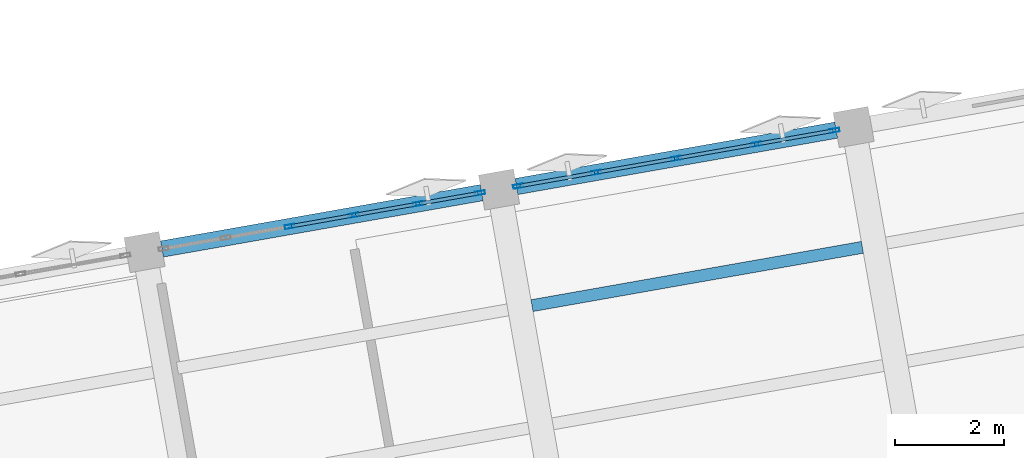
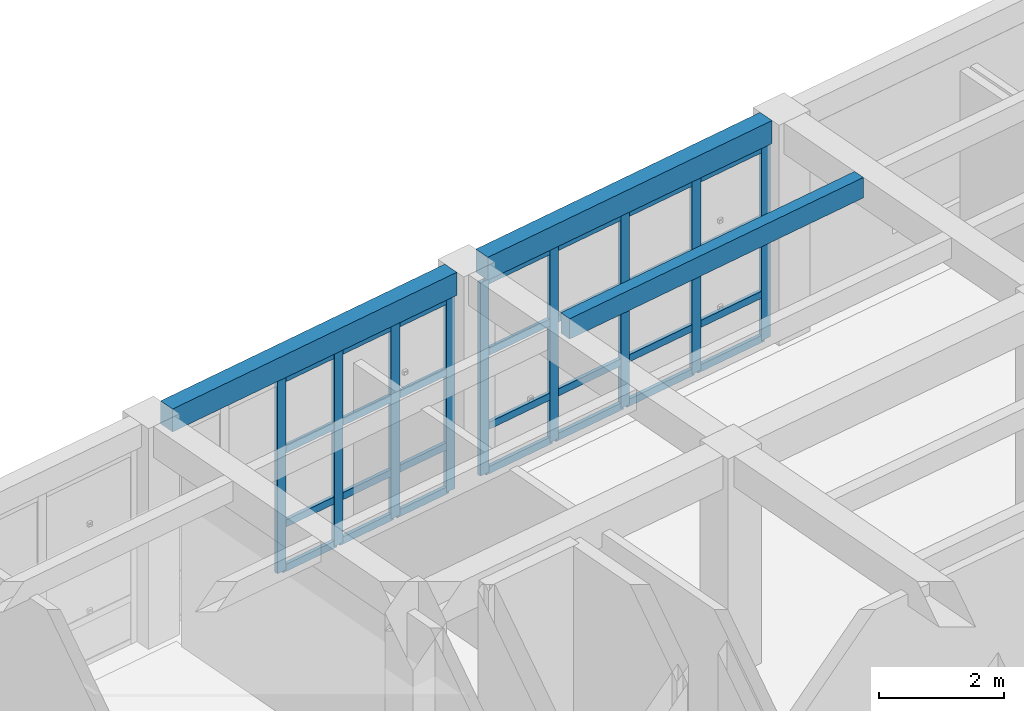
# One storey, part 10 of 39: 37 members, 3 beams, 2 elements without a shape of their own.
"""IFC4 building model written with IfcOpenShell, lengths in metres."""

from ifc_helpers import new_model, si_unit, direction, frame, origin, origin_2d, place, context, subcontext, project, spatial, rectangle, hollow_rectangle, extrude, material, layer, layer_set, material_profile, profile_set, type_object, element, aggregate, save


model = new_model("IFC4")

# Units and contexts
model_context = context("Model", 3, precision=1e-05, world=origin(), true_north=direction((0.0, 1.0)))
body_context = subcontext(model_context, "Body", "Model", "MODEL_VIEW")
ifc_project = project(units=[si_unit("LENGTHUNIT", "METRE"), si_unit("AREAUNIT", "SQUARE_METRE"), si_unit("VOLUMEUNIT", "CUBIC_METRE"), si_unit("PLANEANGLEUNIT", "RADIAN"), si_unit("MASSUNIT", "GRAM", prefix="KILO")], contexts=[model_context])

# Site, building, storey
site_placement = place(None, origin())
site = spatial("IfcSite", under=ifc_project, at=site_placement, CompositionType="ELEMENT")
building_placement = place(site_placement, origin())
building = spatial("IfcBuilding", under=site, at=building_placement, Name="Kharisveld Research Institute", CompositionType="ELEMENT")
storey_placement = place(building_placement, frame((0.0, 0.0, 18.60009765625)))
storey = spatial("IfcBuildingStorey", under=building, at=storey_placement, Name="L04", CompositionType="ELEMENT", Elevation=18.60009765625)

# Curtain wall, members
ifc_material_1 = material(Name="Thermally Broken Aluminium Curtain Wall", Category="aluminium")
ifc_layer_1 = layer(ifc_material_1, 0.159912109375)
ifc_layer_set_1 = layer_set([ifc_layer_1], Name="CW_SYS_01")
curtain_wall_type_1 = type_object("IfcCurtainWallType", Name="CW_SYS_01", PredefinedType="NOTDEFINED", material=ifc_layer_set_1)
curtain_wall_1_placement = place(storey_placement, origin())
curtain_wall_1 = element("IfcCurtainWall", 1, at=curtain_wall_1_placement, inside=storey, type_object=curtain_wall_type_1, Name="CW:V1:L04:N2", PredefinedType="NOTDEFINED")
ifc_material_2 = material(Name="Anodised Aluminium AW-6063-T6", Category="aluminium")
ifc_material_profile_1 = material_profile(ifc_material_2, hollow_rectangle(XDim=0.070068359375, YDim=0.179931640625, WallThickness=0.00439453125, at=origin_2d()))
ifc_profile_set_1 = profile_set([ifc_material_profile_1], Name="Anodised Aluminium AW-6063-T6")
member_type_1 = type_object("IfcMemberType", Name="CW_MUL_180", PredefinedType="MULLION", material=ifc_profile_set_1)
member_1_placement = place(storey_placement, frame((17.424072265625, 57.27099609375, 0.0), z_axis=(0.0, 0.0, 1.0), x_axis=(-0.173648266375, 0.984807737371, 0.0)))
member_1 = element("IfcMember", 2, at=member_1_placement, type_object=member_type_1, Name="CW-01 mullion 3", PredefinedType="MULLION", context=body_context, shape_type="SweptSolid", body=[
    extrude(hollow_rectangle(XDim=0.070068359375, YDim=0.179931640625, WallThickness=0.00439453125, at=origin_2d()), origin(), (0.0, 0.0, 1.0), 3.77978515625),
])
member_2_placement = place(storey_placement, frame((18.59814453125, 57.477783203125, 0.0), z_axis=(0.0, 0.0, 1.0), x_axis=(-0.173648266375, 0.984807737371, 0.0)))
member_2 = element("IfcMember", 3, at=member_2_placement, type_object=member_type_1, Name="CW-01 mullion 4", PredefinedType="MULLION", context=body_context, shape_type="SweptSolid", body=[
    extrude(hollow_rectangle(XDim=0.070068359375, YDim=0.179931640625, WallThickness=0.00439453125, at=origin_2d()), origin(), (0.0, 0.0, 1.0), 3.77978515625),
])
member_3_placement = place(storey_placement, frame((19.77197265625, 57.684814453125, 0.0), z_axis=(0.0, 0.0, 1.0), x_axis=(-0.173648266375, 0.984807737371, 0.0)))
member_3 = element("IfcMember", 4, at=member_3_placement, type_object=member_type_1, Name="CW-01 mullion 5", PredefinedType="MULLION", context=body_context, shape_type="SweptSolid", body=[
    extrude(hollow_rectangle(XDim=0.070068359375, YDim=0.179931640625, WallThickness=0.00439453125, at=origin_2d()), origin(), (0.0, 0.0, 1.0), 3.77978515625),
])
member_4_placement = place(storey_placement, frame((20.911376953125, 57.8857421875, 0.0), z_axis=(0.0, 0.0, 1.0), x_axis=(-0.173648266375, 0.984807737371, 0.0)))
member_4 = element("IfcMember", 5, at=member_4_placement, type_object=member_type_1, Name="CW-01 mullion 6", PredefinedType="MULLION", context=body_context, shape_type="SweptSolid", body=[
    extrude(hollow_rectangle(XDim=0.070068359375, YDim=0.179931640625, WallThickness=0.00439453125, at=origin_2d()), origin(), (0.0, 0.0, 1.0), 3.77978515625),
])

ifc_material_3 = material(Name="Thermally Broken Aluminium Curtain Wall", Category="aluminium")
ifc_layer_2 = layer(ifc_material_3, 0.159912109375)
ifc_layer_set_2 = layer_set([ifc_layer_2], Name="CW_SYS_02")
curtain_wall_type_2 = type_object("IfcCurtainWallType", Name="CW_SYS_02", PredefinedType="NOTDEFINED", material=ifc_layer_set_2)
curtain_wall_2_placement = place(storey_placement, origin())
curtain_wall_2 = element("IfcCurtainWall", 6, at=curtain_wall_2_placement, inside=storey, type_object=curtain_wall_type_2, Name="CW:V1:L04:N3", PredefinedType="NOTDEFINED")
member_5_placement = place(storey_placement, frame((21.610595703125, 58.009033203125, 0.0), z_axis=(0.0, 0.0, 1.0), x_axis=(-0.173648295062, 0.984807732312, 0.0)))
member_5 = element("IfcMember", 7, at=member_5_placement, type_object=member_type_1, Name="CW-02 mullion 1", PredefinedType="MULLION", context=body_context, shape_type="SweptSolid", body=[
    extrude(hollow_rectangle(XDim=0.070068359375, YDim=0.179931640625, WallThickness=0.00439453125, at=origin_2d()), origin(), (0.0, 0.0, 1.0), 3.77978515625),
])
member_6_placement = place(storey_placement, frame((23.04345703125, 58.26171875, 0.0), z_axis=(0.0, 0.0, 1.0), x_axis=(-0.173648295062, 0.984807732312, 0.0)))
member_6 = element("IfcMember", 8, at=member_6_placement, type_object=member_type_1, Name="CW-02 mullion 2", PredefinedType="MULLION", context=body_context, shape_type="SweptSolid", body=[
    extrude(hollow_rectangle(XDim=0.070068359375, YDim=0.179931640625, WallThickness=0.00439453125, at=origin_2d()), origin(), (0.0, 0.0, 1.0), 3.77978515625),
])
member_7_placement = place(storey_placement, frame((24.5107421875, 58.5205078125, 0.0), z_axis=(0.0, 0.0, 1.0), x_axis=(-0.173648295062, 0.984807732312, 0.0)))
member_7 = element("IfcMember", 9, at=member_7_placement, type_object=member_type_1, Name="CW-02 mullion 3", PredefinedType="MULLION", context=body_context, shape_type="SweptSolid", body=[
    extrude(hollow_rectangle(XDim=0.070068359375, YDim=0.179931640625, WallThickness=0.00439453125, at=origin_2d()), origin(), (0.0, 0.0, 1.0), 3.77978515625),
])
member_8_placement = place(storey_placement, frame((25.978271484375, 58.779296875, 0.0), z_axis=(0.0, 0.0, 1.0), x_axis=(-0.173648295062, 0.984807732312, 0.0)))
member_8 = element("IfcMember", 10, at=member_8_placement, type_object=member_type_1, Name="CW-02 mullion 4", PredefinedType="MULLION", context=body_context, shape_type="SweptSolid", body=[
    extrude(hollow_rectangle(XDim=0.070068359375, YDim=0.179931640625, WallThickness=0.00439453125, at=origin_2d()), origin(), (0.0, 0.0, 1.0), 3.77978515625),
])
member_9_placement = place(storey_placement, frame((27.4111328125, 59.03173828125, 0.0), z_axis=(0.0, 0.0, 1.0), x_axis=(-0.173648295062, 0.984807732312, 0.0)))
member_9 = element("IfcMember", 11, at=member_9_placement, type_object=member_type_1, Name="CW-02 mullion 5", PredefinedType="MULLION", context=body_context, shape_type="SweptSolid", body=[
    extrude(hollow_rectangle(XDim=0.070068359375, YDim=0.179931640625, WallThickness=0.00439453125, at=origin_2d()), origin(), (0.0, 0.0, 1.0), 3.77978515625),
])

# Member
ifc_material_4 = material(Name="Anodised Aluminium AW-6063-T6", Category="aluminium")
ifc_material_profile_2 = material_profile(ifc_material_4, hollow_rectangle(XDim=0.06494140625, YDim=0.139892578125, WallThickness=0.00390625, at=origin_2d()))
ifc_profile_set_2 = profile_set([ifc_material_profile_2], Name="Anodised Aluminium AW-6063-T6")
member_type_2 = type_object("IfcMemberType", Name="CW_TRN_140", PredefinedType="USERDEFINED", material=ifc_profile_set_2)
member_10_placement = place(storey_placement, frame((17.45849609375, 57.27685546875, 0.032470703125), z_axis=(0.984772604787, 0.173847395322, 0.0), x_axis=(-0.173847395322, 0.984772604787, 0.0)))
member_10 = element("IfcMember", 12, at=member_10_placement, type_object=member_type_2, Name="CW-01 transom 3.1", ObjectType="TRANSOM", PredefinedType="USERDEFINED", context=body_context, shape_type="SweptSolid", body=[
    extrude(hollow_rectangle(XDim=0.06494140625, YDim=0.139892578125, WallThickness=0.00390625, at=origin_2d()), origin(), (0.0, 0.0, 1.0), 1.1220703125),
])

member_11_placement = place(storey_placement, frame((17.45849609375, 57.27685546875, 0.89990234375), z_axis=(0.984772604787, 0.173847395322, 0.0), x_axis=(-0.173847395322, 0.984772604787, 0.0)))
member_11 = element("IfcMember", 13, at=member_11_placement, type_object=member_type_2, Name="CW-01 transom 3.2", ObjectType="TRANSOM", PredefinedType="USERDEFINED", context=body_context, shape_type="SweptSolid", body=[
    extrude(hollow_rectangle(XDim=0.06494140625, YDim=0.139892578125, WallThickness=0.00390625, at=origin_2d()), origin(), (0.0, 0.0, 1.0), 1.1220703125),
])

member_12_placement = place(storey_placement, frame((17.45849609375, 57.27685546875, 2.349853515625), z_axis=(0.984772604787, 0.173847395322, 0.0), x_axis=(-0.173847395322, 0.984772604787, 0.0)))
member_12 = element("IfcMember", 14, at=member_12_placement, type_object=member_type_2, Name="CW-01 transom 3.3", ObjectType="TRANSOM", PredefinedType="USERDEFINED", context=body_context, shape_type="SweptSolid", body=[
    extrude(hollow_rectangle(XDim=0.06494140625, YDim=0.139892578125, WallThickness=0.00390625, at=origin_2d()), origin(), (0.0, 0.0, 1.0), 1.1220703125),
])

member_13_placement = place(storey_placement, frame((17.45849609375, 57.27685546875, 3.747314453125), z_axis=(0.984772604787, 0.173847395322, 0.0), x_axis=(-0.173847395322, 0.984772604787, 0.0)))
member_13 = element("IfcMember", 15, at=member_13_placement, type_object=member_type_2, Name="CW-01 transom 3.4", ObjectType="TRANSOM", PredefinedType="USERDEFINED", context=body_context, shape_type="SweptSolid", body=[
    extrude(hollow_rectangle(XDim=0.06494140625, YDim=0.139892578125, WallThickness=0.00390625, at=origin_2d()), origin(), (0.0, 0.0, 1.0), 1.1220703125),
])

member_14_placement = place(storey_placement, frame((18.632568359375, 57.48388671875, 0.032470703125), z_axis=(0.984809833526, 0.173636378072, 0.0), x_axis=(-0.173636378072, 0.984809833526, 0.0)))
member_14 = element("IfcMember", 16, at=member_14_placement, type_object=member_type_2, Name="CW-01 transom 4.1", ObjectType="TRANSOM", PredefinedType="USERDEFINED", context=body_context, shape_type="SweptSolid", body=[
    extrude(hollow_rectangle(XDim=0.06494140625, YDim=0.139892578125, WallThickness=0.00390625, at=origin_2d()), origin(), (0.0, 0.0, 1.0), 1.1220703125),
])

member_15_placement = place(storey_placement, frame((18.632568359375, 57.48388671875, 0.89990234375), z_axis=(0.984809833526, 0.173636378072, 0.0), x_axis=(-0.173636378072, 0.984809833526, 0.0)))
member_15 = element("IfcMember", 17, at=member_15_placement, type_object=member_type_2, Name="CW-01 transom 4.2", ObjectType="TRANSOM", PredefinedType="USERDEFINED", context=body_context, shape_type="SweptSolid", body=[
    extrude(hollow_rectangle(XDim=0.06494140625, YDim=0.139892578125, WallThickness=0.00390625, at=origin_2d()), origin(), (0.0, 0.0, 1.0), 1.1220703125),
])

member_16_placement = place(storey_placement, frame((18.632568359375, 57.48388671875, 2.349853515625), z_axis=(0.984809833526, 0.173636378072, 0.0), x_axis=(-0.173636378072, 0.984809833526, 0.0)))
member_16 = element("IfcMember", 18, at=member_16_placement, type_object=member_type_2, Name="CW-01 transom 4.3", ObjectType="TRANSOM", PredefinedType="USERDEFINED", context=body_context, shape_type="SweptSolid", body=[
    extrude(hollow_rectangle(XDim=0.06494140625, YDim=0.139892578125, WallThickness=0.00390625, at=origin_2d()), origin(), (0.0, 0.0, 1.0), 1.1220703125),
])

member_17_placement = place(storey_placement, frame((18.632568359375, 57.48388671875, 3.747314453125), z_axis=(0.984809833526, 0.173636378072, 0.0), x_axis=(-0.173636378072, 0.984809833526, 0.0)))
member_17 = element("IfcMember", 19, at=member_17_placement, type_object=member_type_2, Name="CW-01 transom 4.4", ObjectType="TRANSOM", PredefinedType="USERDEFINED", context=body_context, shape_type="SweptSolid", body=[
    extrude(hollow_rectangle(XDim=0.06494140625, YDim=0.139892578125, WallThickness=0.00390625, at=origin_2d()), origin(), (0.0, 0.0, 1.0), 1.1220703125),
])

member_18_placement = place(storey_placement, frame((19.806396484375, 57.69091796875, 0.032470703125), z_axis=(0.984815195723, 0.173605962667, 0.0), x_axis=(-0.173605962667, 0.984815195723, 0.0)))
member_18 = element("IfcMember", 20, at=member_18_placement, type_object=member_type_2, Name="CW-01 transom 5.1", ObjectType="TRANSOM", PredefinedType="USERDEFINED", context=body_context, shape_type="SweptSolid", body=[
    extrude(hollow_rectangle(XDim=0.06494140625, YDim=0.139892578125, WallThickness=0.00390625, at=origin_2d()), origin(), (0.0, 0.0, 1.0), 1.087158203125),
])

member_19_placement = place(storey_placement, frame((19.806396484375, 57.69091796875, 0.89990234375), z_axis=(0.984815195723, 0.173605962667, 0.0), x_axis=(-0.173605962667, 0.984815195723, 0.0)))
member_19 = element("IfcMember", 21, at=member_19_placement, type_object=member_type_2, Name="CW-01 transom 5.2", ObjectType="TRANSOM", PredefinedType="USERDEFINED", context=body_context, shape_type="SweptSolid", body=[
    extrude(hollow_rectangle(XDim=0.06494140625, YDim=0.139892578125, WallThickness=0.00390625, at=origin_2d()), origin(), (0.0, 0.0, 1.0), 1.087158203125),
])

member_20_placement = place(storey_placement, frame((19.806396484375, 57.69091796875, 2.349853515625), z_axis=(0.984815195723, 0.173605962667, 0.0), x_axis=(-0.173605962667, 0.984815195723, 0.0)))
member_20 = element("IfcMember", 22, at=member_20_placement, type_object=member_type_2, Name="CW-01 transom 5.3", ObjectType="TRANSOM", PredefinedType="USERDEFINED", context=body_context, shape_type="SweptSolid", body=[
    extrude(hollow_rectangle(XDim=0.06494140625, YDim=0.139892578125, WallThickness=0.00390625, at=origin_2d()), origin(), (0.0, 0.0, 1.0), 1.087158203125),
])

member_21_placement = place(storey_placement, frame((19.806396484375, 57.69091796875, 3.747314453125), z_axis=(0.984815195723, 0.173605962667, 0.0), x_axis=(-0.173605962667, 0.984815195723, 0.0)))
member_21 = element("IfcMember", 23, at=member_21_placement, type_object=member_type_2, Name="CW-01 transom 5.4", ObjectType="TRANSOM", PredefinedType="USERDEFINED", context=body_context, shape_type="SweptSolid", body=[
    extrude(hollow_rectangle(XDim=0.06494140625, YDim=0.139892578125, WallThickness=0.00390625, at=origin_2d()), origin(), (0.0, 0.0, 1.0), 1.087158203125),
])

aggregate(curtain_wall_1, [member_1, member_2, member_3, member_4, member_10, member_11, member_12, member_13, member_14, member_15, member_16, member_17, member_18, member_19, member_20, member_21])

member_22_placement = place(storey_placement, frame((21.64501953125, 58.01513671875, 0.032470703125), z_axis=(0.984811937912, 0.173624442249, 0.0), x_axis=(-0.173624442249, 0.984811937912, 0.0)))
member_22 = element("IfcMember", 24, at=member_22_placement, type_object=member_type_2, Name="CW-02 transom 1.1", ObjectType="TRANSOM", PredefinedType="USERDEFINED", context=body_context, shape_type="SweptSolid", body=[
    extrude(hollow_rectangle(XDim=0.06494140625, YDim=0.139892578125, WallThickness=0.00390625, at=origin_2d()), origin(), (0.0, 0.0, 1.0), 1.385009765625),
])

member_23_placement = place(storey_placement, frame((21.64501953125, 58.01513671875, 0.89990234375), z_axis=(0.984811937912, 0.173624442249, 0.0), x_axis=(-0.173624442249, 0.984811937912, 0.0)))
member_23 = element("IfcMember", 25, at=member_23_placement, type_object=member_type_2, Name="CW-02 transom 1.2", ObjectType="TRANSOM", PredefinedType="USERDEFINED", context=body_context, shape_type="SweptSolid", body=[
    extrude(hollow_rectangle(XDim=0.06494140625, YDim=0.139892578125, WallThickness=0.00390625, at=origin_2d()), origin(), (0.0, 0.0, 1.0), 1.385009765625),
])

member_24_placement = place(storey_placement, frame((21.64501953125, 58.01513671875, 2.349853515625), z_axis=(0.984811937912, 0.173624442249, 0.0), x_axis=(-0.173624442249, 0.984811937912, 0.0)))
member_24 = element("IfcMember", 26, at=member_24_placement, type_object=member_type_2, Name="CW-02 transom 1.3", ObjectType="TRANSOM", PredefinedType="USERDEFINED", context=body_context, shape_type="SweptSolid", body=[
    extrude(hollow_rectangle(XDim=0.06494140625, YDim=0.139892578125, WallThickness=0.00390625, at=origin_2d()), origin(), (0.0, 0.0, 1.0), 1.385009765625),
])

member_25_placement = place(storey_placement, frame((21.64501953125, 58.01513671875, 3.747314453125), z_axis=(0.984811937912, 0.173624442249, 0.0), x_axis=(-0.173624442249, 0.984811937912, 0.0)))
member_25 = element("IfcMember", 27, at=member_25_placement, type_object=member_type_2, Name="CW-02 transom 1.4", ObjectType="TRANSOM", PredefinedType="USERDEFINED", context=body_context, shape_type="SweptSolid", body=[
    extrude(hollow_rectangle(XDim=0.06494140625, YDim=0.139892578125, WallThickness=0.00390625, at=origin_2d()), origin(), (0.0, 0.0, 1.0), 1.385009765625),
])

member_26_placement = place(storey_placement, frame((23.077880859375, 58.267822265625, 0.032470703125), z_axis=(0.984807780811, 0.17364802001, 0.0), x_axis=(-0.17364802001, 0.984807780811, 0.0)))
member_26 = element("IfcMember", 28, at=member_26_placement, type_object=member_type_2, Name="CW-02 transom 2.1", ObjectType="TRANSOM", PredefinedType="USERDEFINED", context=body_context, shape_type="SweptSolid", body=[
    extrude(hollow_rectangle(XDim=0.06494140625, YDim=0.139892578125, WallThickness=0.00390625, at=origin_2d()), origin(), (0.0, 0.0, 1.0), 1.419921875),
])

member_27_placement = place(storey_placement, frame((23.077880859375, 58.267822265625, 0.89990234375), z_axis=(0.984807780811, 0.17364802001, 0.0), x_axis=(-0.17364802001, 0.984807780811, 0.0)))
member_27 = element("IfcMember", 29, at=member_27_placement, type_object=member_type_2, Name="CW-02 transom 2.2", ObjectType="TRANSOM", PredefinedType="USERDEFINED", context=body_context, shape_type="SweptSolid", body=[
    extrude(hollow_rectangle(XDim=0.06494140625, YDim=0.139892578125, WallThickness=0.00390625, at=origin_2d()), origin(), (0.0, 0.0, 1.0), 1.419921875),
])

member_28_placement = place(storey_placement, frame((23.077880859375, 58.267822265625, 2.349853515625), z_axis=(0.984807780811, 0.17364802001, 0.0), x_axis=(-0.17364802001, 0.984807780811, 0.0)))
member_28 = element("IfcMember", 30, at=member_28_placement, type_object=member_type_2, Name="CW-02 transom 2.3", ObjectType="TRANSOM", PredefinedType="USERDEFINED", context=body_context, shape_type="SweptSolid", body=[
    extrude(hollow_rectangle(XDim=0.06494140625, YDim=0.139892578125, WallThickness=0.00390625, at=origin_2d()), origin(), (0.0, 0.0, 1.0), 1.419921875),
])

member_29_placement = place(storey_placement, frame((23.077880859375, 58.267822265625, 3.747314453125), z_axis=(0.984807780811, 0.17364802001, 0.0), x_axis=(-0.17364802001, 0.984807780811, 0.0)))
member_29 = element("IfcMember", 31, at=member_29_placement, type_object=member_type_2, Name="CW-02 transom 2.4", ObjectType="TRANSOM", PredefinedType="USERDEFINED", context=body_context, shape_type="SweptSolid", body=[
    extrude(hollow_rectangle(XDim=0.06494140625, YDim=0.139892578125, WallThickness=0.00390625, at=origin_2d()), origin(), (0.0, 0.0, 1.0), 1.419921875),
])

member_30_placement = place(storey_placement, frame((24.54541015625, 58.526611328125, 0.032470703125), z_axis=(0.984802595218, 0.173677426431, 0.0), x_axis=(-0.173677426431, 0.984802595218, 0.0)))
member_30 = element("IfcMember", 32, at=member_30_placement, type_object=member_type_2, Name="CW-02 transom 3.1", ObjectType="TRANSOM", PredefinedType="USERDEFINED", context=body_context, shape_type="SweptSolid", body=[
    extrude(hollow_rectangle(XDim=0.06494140625, YDim=0.139892578125, WallThickness=0.00390625, at=origin_2d()), origin(), (0.0, 0.0, 1.0), 1.419677734375),
])

member_31_placement = place(storey_placement, frame((24.54541015625, 58.526611328125, 0.89990234375), z_axis=(0.984802595218, 0.173677426431, 0.0), x_axis=(-0.173677426431, 0.984802595218, 0.0)))
member_31 = element("IfcMember", 33, at=member_31_placement, type_object=member_type_2, Name="CW-02 transom 3.2", ObjectType="TRANSOM", PredefinedType="USERDEFINED", context=body_context, shape_type="SweptSolid", body=[
    extrude(hollow_rectangle(XDim=0.06494140625, YDim=0.139892578125, WallThickness=0.00390625, at=origin_2d()), origin(), (0.0, 0.0, 1.0), 1.419677734375),
])

member_32_placement = place(storey_placement, frame((24.54541015625, 58.526611328125, 2.349853515625), z_axis=(0.984802595218, 0.173677426431, 0.0), x_axis=(-0.173677426431, 0.984802595218, 0.0)))
member_32 = element("IfcMember", 34, at=member_32_placement, type_object=member_type_2, Name="CW-02 transom 3.3", ObjectType="TRANSOM", PredefinedType="USERDEFINED", context=body_context, shape_type="SweptSolid", body=[
    extrude(hollow_rectangle(XDim=0.06494140625, YDim=0.139892578125, WallThickness=0.00390625, at=origin_2d()), origin(), (0.0, 0.0, 1.0), 1.419677734375),
])

member_33_placement = place(storey_placement, frame((24.54541015625, 58.526611328125, 3.747314453125), z_axis=(0.984802595218, 0.173677426431, 0.0), x_axis=(-0.173677426431, 0.984802595218, 0.0)))
member_33 = element("IfcMember", 35, at=member_33_placement, type_object=member_type_2, Name="CW-02 transom 3.4", ObjectType="TRANSOM", PredefinedType="USERDEFINED", context=body_context, shape_type="SweptSolid", body=[
    extrude(hollow_rectangle(XDim=0.06494140625, YDim=0.139892578125, WallThickness=0.00390625, at=origin_2d()), origin(), (0.0, 0.0, 1.0), 1.419677734375),
])

member_34_placement = place(storey_placement, frame((26.0126953125, 58.785400390625, 0.032470703125), z_axis=(0.984811937912, 0.173624442249, 0.0), x_axis=(-0.173624442249, 0.984811937912, 0.0)))
member_34 = element("IfcMember", 36, at=member_34_placement, type_object=member_type_2, Name="CW-02 transom 4.1", ObjectType="TRANSOM", PredefinedType="USERDEFINED", context=body_context, shape_type="SweptSolid", body=[
    extrude(hollow_rectangle(XDim=0.06494140625, YDim=0.139892578125, WallThickness=0.00390625, at=origin_2d()), origin(), (0.0, 0.0, 1.0), 1.385009765625),
])

member_35_placement = place(storey_placement, frame((26.0126953125, 58.785400390625, 0.89990234375), z_axis=(0.984811937912, 0.173624442249, 0.0), x_axis=(-0.173624442249, 0.984811937912, 0.0)))
member_35 = element("IfcMember", 37, at=member_35_placement, type_object=member_type_2, Name="CW-02 transom 4.2", ObjectType="TRANSOM", PredefinedType="USERDEFINED", context=body_context, shape_type="SweptSolid", body=[
    extrude(hollow_rectangle(XDim=0.06494140625, YDim=0.139892578125, WallThickness=0.00390625, at=origin_2d()), origin(), (0.0, 0.0, 1.0), 1.385009765625),
])

member_36_placement = place(storey_placement, frame((26.0126953125, 58.785400390625, 2.349853515625), z_axis=(0.984811937912, 0.173624442249, 0.0), x_axis=(-0.173624442249, 0.984811937912, 0.0)))
member_36 = element("IfcMember", 38, at=member_36_placement, type_object=member_type_2, Name="CW-02 transom 4.3", ObjectType="TRANSOM", PredefinedType="USERDEFINED", context=body_context, shape_type="SweptSolid", body=[
    extrude(hollow_rectangle(XDim=0.06494140625, YDim=0.139892578125, WallThickness=0.00390625, at=origin_2d()), origin(), (0.0, 0.0, 1.0), 1.385009765625),
])

member_37_placement = place(storey_placement, frame((26.0126953125, 58.785400390625, 3.747314453125), z_axis=(0.984811937912, 0.173624442249, 0.0), x_axis=(-0.173624442249, 0.984811937912, 0.0)))
member_37 = element("IfcMember", 39, at=member_37_placement, type_object=member_type_2, Name="CW-02 transom 4.4", ObjectType="TRANSOM", PredefinedType="USERDEFINED", context=body_context, shape_type="SweptSolid", body=[
    extrude(hollow_rectangle(XDim=0.06494140625, YDim=0.139892578125, WallThickness=0.00390625, at=origin_2d()), origin(), (0.0, 0.0, 1.0), 1.385009765625),
])

aggregate(curtain_wall_2, [member_5, member_6, member_7, member_8, member_9, member_22, member_23, member_24, member_25, member_26, member_27, member_28, member_29, member_30, member_31, member_32, member_33, member_34, member_35, member_36, member_37])

# Beams
ifc_material_5 = material(Name="Concrete C40/50", Category="concrete")
ifc_material_profile_3 = material_profile(ifc_material_5, rectangle(XDim=0.300048828125, YDim=0.449951171875, at=origin_2d()))
ifc_profile_set_3 = profile_set([ifc_material_profile_3], Name="Concrete C40/50")
beam_type_1 = type_object("IfcBeamType", Name="SP_RC_300x450", PredefinedType="SPANDREL", material=ifc_profile_set_3)
for number, where, z_axis, x_axis, name in (
    (40, (15.081298828125, 56.857666015625, 4.094970703125), (0.984807920462, 0.173647228007, 0.0), (-0.173647228007, 0.984807920462, 0.0), "BM:V1:L04:U2_3"),
    (41, (21.5810546875, 58.00390625, 4.094970703125), (0.984807920462, 0.173647228007, 0.0), (-0.173647228007, 0.984807920462, 0.0), "BM:V1:L04:U3_3"),
):
    element("IfcBeam", number, at=place(storey_placement, frame(where, z_axis=z_axis, x_axis=x_axis)), inside=storey, type_object=beam_type_1, Name=name, PredefinedType="SPANDREL", context=body_context, shape_type="SweptSolid", body=[
        extrude(rectangle(XDim=0.300048828125, YDim=0.449951171875, at=origin_2d()), origin(), (0.0, 0.0, 1.0), 5.949951171875),
    ])
ifc_material_6 = material(Name="Concrete C40/50", Category="concrete")
ifc_material_profile_4 = material_profile(ifc_material_6, rectangle(XDim=0.219970703125, YDim=0.39990234375, at=origin_2d()))
ifc_profile_set_4 = profile_set([ifc_material_profile_4], Name="Concrete C40/50")
beam_type_2 = type_object("IfcBeamType", Name="WB_RC_220x400", PredefinedType="JOIST", material=ifc_profile_set_4)
beam_placement = place(storey_placement, frame((21.864501953125, 55.81982421875, 4.119873046875), z_axis=(0.984803134643, 0.173674367706, 0.0), x_axis=(-0.173674367706, 0.984803134643, 0.0)))
element("IfcBeam", 42, at=beam_placement, inside=storey, type_object=beam_type_2, Name="BM:V1:L04:J_3_2_R2", PredefinedType="JOIST", context=body_context, shape_type="SweptSolid", body=[
    extrude(rectangle(XDim=0.219970703125, YDim=0.39990234375, at=origin_2d()), origin(), (0.0, 0.0, 1.0), 6.150146484375),
])

save(model, "model.ifc")
